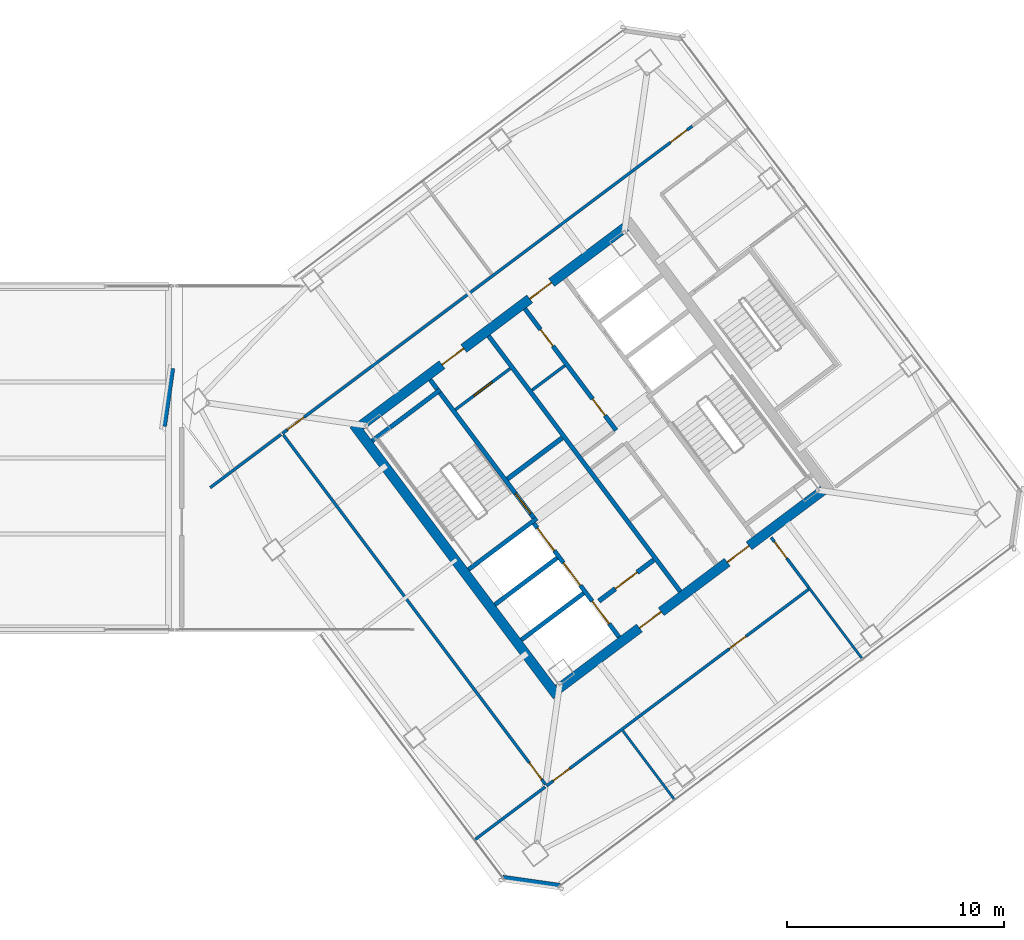
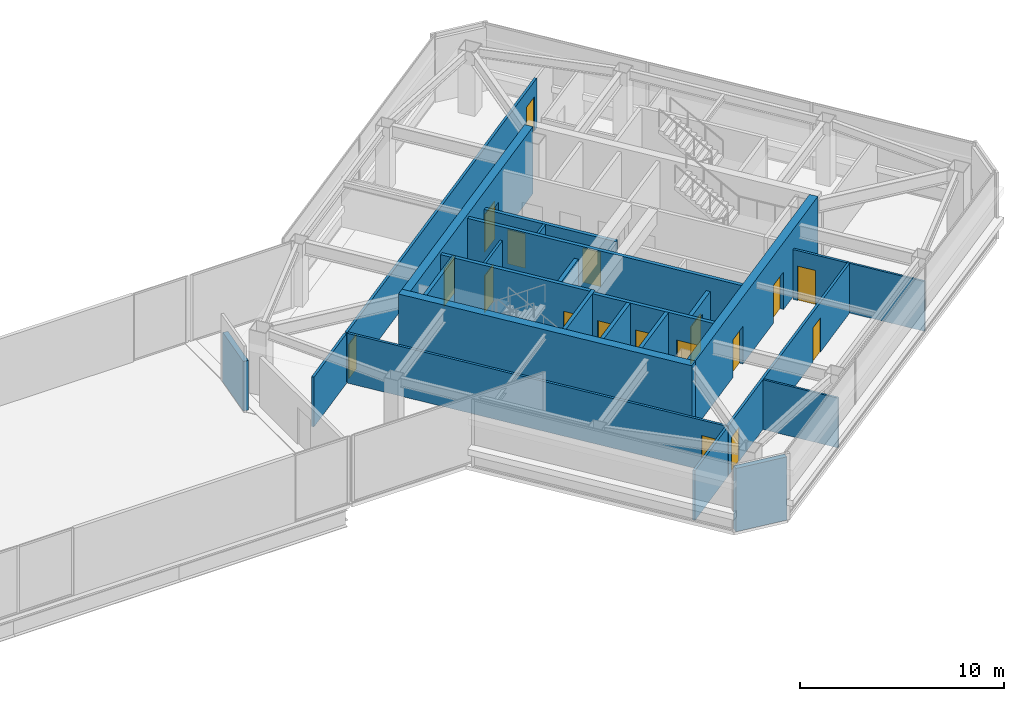
# One storey, part 41 of 51: 25 walls, 18 doors, 18 openings.
"""IFC4 building model written with IfcOpenShell, lengths in metres."""

from ifc_helpers import new_model, si_unit, direction, frame, frame_2d, origin, place, context, subcontext, project, spatial, rectangle, extrude, material, layer, layer_set, type_object, element, fill, save


model = new_model("IFC4")

# Units and contexts
model_context = context("Model", 3, precision=1e-05, world=origin(), true_north=direction((0.0, 1.0)))
body_context = subcontext(model_context, "Body", "Model", "MODEL_VIEW")
ifc_project = project(units=[si_unit("LENGTHUNIT", "METRE"), si_unit("AREAUNIT", "SQUARE_METRE"), si_unit("VOLUMEUNIT", "CUBIC_METRE"), si_unit("PLANEANGLEUNIT", "RADIAN"), si_unit("MASSUNIT", "GRAM", prefix="KILO")], contexts=[model_context])

# Site, building, storey
site_placement = place(None, origin())
site = spatial("IfcSite", under=ifc_project, at=site_placement, CompositionType="ELEMENT")
building_placement = place(site_placement, origin())
building = spatial("IfcBuilding", under=site, at=building_placement, Name="Tashvorn Skyway Center", CompositionType="ELEMENT")
storey_placement = place(building_placement, frame((0.0, 0.0, 251.39990234375)))
storey = spatial("IfcBuildingStorey", under=building, at=storey_placement, Name="L68", CompositionType="ELEMENT", Elevation=251.39990234375)

# Wall
ifc_material_1 = material(Name="Concrete C50/60", Category="concrete")
ifc_layer_1 = layer(ifc_material_1, 0.449951171875)
ifc_layer_set_1 = layer_set([ifc_layer_1], Name="Concrete C50/60")
wall_type_1 = type_object("IfcWallType", Name="WALL-CORE-450", PredefinedType="SHEAR", material=ifc_layer_set_1)
wall_1_placement = place(storey_placement, frame((112.39599609375, 21.047119140625, 0.0), z_axis=(0.0, 0.0, 1.0), x_axis=(-0.600005007985, 0.799996243986, 0.0)))
element("IfcWall", 1, at=wall_1_placement, inside=storey, type_object=wall_type_1, Name="Tower 2 L68 West Core Shear Wall", PredefinedType="SHEAR", context=body_context, shape_type="SweptSolid", body=[
    extrude(rectangle(XDim=15.60009765625, YDim=0.449951171875, at=frame_2d((7.800048828125, 0.0))), origin(), (0.0, 0.0, 1.0), 4.0),
])

# Wall, openings, doors
wall_2_placement = place(storey_placement, frame((124.64892578125, 30.51806640625, 0.0), z_axis=(0.0, 0.0, 1.0), x_axis=(-0.8, -0.6, 0.0)))
wall_2 = element("IfcWall", 2, at=wall_2_placement, inside=storey, type_object=wall_type_1, Name="Tower 2 L68 South Core Shear Wall", PredefinedType="SHEAR", context=body_context, shape_type="SweptSolid", body=[
    extrude(rectangle(XDim=15.260009765625, YDim=0.449951171875, at=frame_2d((7.6298828125, 0.0))), origin(), (0.0, 0.0, 1.0), 4.0),
])
opening_1_placement = place(wall_2_placement, frame((9.330078125, 0.0, 0.0)))
opening_1 = element("IfcOpeningElement", 3, at=opening_1_placement, cuts=wall_2, Name="Opening D-FFL-1250", PredefinedType="OPENING", context=body_context, shape_type="SweptSolid", body=[
    extrude(rectangle(XDim=1.25, YDim=2.25, at=frame_2d((0.625, 1.125))), frame((0.0, 0.23486328125, 0.0), z_axis=(0.0, -1.0, 0.0), x_axis=(1.0, 0.0, 0.0)), (0.0, 0.0, 1.0), 0.469970703125),
])
opening_2_placement = place(wall_2_placement, frame((4.280029296875, 0.0, 0.0)))
opening_2 = element("IfcOpeningElement", 4, at=opening_2_placement, cuts=wall_2, Name="Opening D-FFL-1250", PredefinedType="OPENING", context=body_context, shape_type="SweptSolid", body=[
    extrude(rectangle(XDim=1.25, YDim=2.25, at=frame_2d((0.625, 1.125))), frame((0.0, 0.23486328125, 0.0), z_axis=(0.0, -1.0, 0.0), x_axis=(1.0, 0.0, 0.0)), (0.0, 0.0, 1.0), 0.469970703125),
])
ifc_material_2 = material(Name="Hollow galvanized steel fire door assembly", Category="steel")
door_type_1 = type_object("IfcDoorType", Name="DOOR-FFL-1250", OperationType="NOTDEFINED", PredefinedType="DOOR", material=ifc_material_2)
door_1_placement = place(opening_1_placement, origin())
door_1 = element("IfcDoor", 5, at=door_1_placement, inside=storey, type_object=door_type_1, Name="Tower 2 L68 Core South Firefighting Exit Door", OperationType="SINGLE_SWING_LEFT", OverallHeight=2.25, OverallWidth=1.25, PredefinedType="DOOR", context=body_context, shape_type="SweptSolid", body=[
    extrude(rectangle(XDim=1.25, YDim=2.25, at=frame_2d((0.625, 1.125))), frame((0.0, 0.02490234375, 0.0), z_axis=(0.0, -1.0, 0.0), x_axis=(1.0, 0.0, 0.0)), (0.0, 0.0, 1.0), 0.050048828125),
])
fill(opening_1, door_1)
door_2_placement = place(opening_2_placement, origin())
door_2 = element("IfcDoor", 6, at=door_2_placement, inside=storey, type_object=door_type_1, Name="Tower 2 L68 Core South Lift Lobby Door", OperationType="SINGLE_SWING_RIGHT", OverallHeight=2.25, OverallWidth=1.25, PredefinedType="DOOR", context=body_context, shape_type="SweptSolid", body=[
    extrude(rectangle(XDim=1.25, YDim=2.25, at=frame_2d((0.625, 1.125))), frame((0.0, 0.02490234375, 0.0), z_axis=(0.0, -1.0, 0.0), x_axis=(1.0, 0.0, 0.0)), (0.0, 0.0, 1.0), 0.050048828125),
])
fill(opening_2, door_2)

wall_3_placement = place(storey_placement, frame((103.35107421875, 33.48193359375, 0.0), z_axis=(0.0, 0.0, 1.0), x_axis=(0.8, 0.6, 0.0)))
wall_3 = element("IfcWall", 7, at=wall_3_placement, inside=storey, type_object=wall_type_1, Name="Tower 2 L68 North Core Shear Wall", PredefinedType="SHEAR", context=body_context, shape_type="SweptSolid", body=[
    extrude(rectangle(XDim=15.260009765625, YDim=0.449951171875, at=frame_2d((7.6298828125, 0.0))), origin(), (0.0, 0.0, 1.0), 4.0),
])
opening_3_placement = place(wall_3_placement, frame((4.679931640625, 0.0, 0.0)))
opening_3 = element("IfcOpeningElement", 8, at=opening_3_placement, cuts=wall_3, Name="Opening D-FFL-1250", PredefinedType="OPENING", context=body_context, shape_type="SweptSolid", body=[
    extrude(rectangle(XDim=1.25, YDim=2.25, at=frame_2d((0.625, 1.125))), frame((0.0, 0.23486328125, 0.0), z_axis=(0.0, -1.0, 0.0), x_axis=(1.0, 0.0, 0.0)), (0.0, 0.0, 1.0), 0.469970703125),
])
opening_4_placement = place(wall_3_placement, frame((9.72998046875, 0.0, 0.0)))
opening_4 = element("IfcOpeningElement", 9, at=opening_4_placement, cuts=wall_3, Name="Opening D-FFL-1250", PredefinedType="OPENING", context=body_context, shape_type="SweptSolid", body=[
    extrude(rectangle(XDim=1.25, YDim=2.25, at=frame_2d((0.625, 1.125))), frame((0.0, 0.23486328125, 0.0), z_axis=(0.0, -1.0, 0.0), x_axis=(1.0, 0.0, 0.0)), (0.0, 0.0, 1.0), 0.469970703125),
])
door_3_placement = place(opening_3_placement, origin())
door_3 = element("IfcDoor", 10, at=door_3_placement, inside=storey, type_object=door_type_1, Name="Tower 2 L68 Core North Service Lobby Door", OperationType="SINGLE_SWING_LEFT", OverallHeight=2.25, OverallWidth=1.25, PredefinedType="DOOR", context=body_context, shape_type="SweptSolid", body=[
    extrude(rectangle(XDim=1.25, YDim=2.25, at=frame_2d((0.625, 1.125))), frame((0.0, 0.02490234375, 0.0), z_axis=(0.0, -1.0, 0.0), x_axis=(1.0, 0.0, 0.0)), (0.0, 0.0, 1.0), 0.050048828125),
])
fill(opening_3, door_3)
door_4_placement = place(opening_4_placement, origin())
door_4 = element("IfcDoor", 11, at=door_4_placement, inside=storey, type_object=door_type_1, Name="Tower 2 L68 Core North Lift Lobby Door", OperationType="SINGLE_SWING_RIGHT", OverallHeight=2.25, OverallWidth=1.25, PredefinedType="DOOR", context=body_context, shape_type="SweptSolid", body=[
    extrude(rectangle(XDim=1.25, YDim=2.25, at=frame_2d((0.625, 1.125))), frame((0.0, 0.02490234375, 0.0), z_axis=(0.0, -1.0, 0.0), x_axis=(1.0, 0.0, 0.0)), (0.0, 0.0, 1.0), 0.050048828125),
])
fill(opening_4, door_4)

# Walls
ifc_material_3 = material(Name="Precast concrete C40/50", Category="concrete")
ifc_layer_2 = layer(ifc_material_3, 0.280029296875)
ifc_layer_set_2 = layer_set([ifc_layer_2], Name="Precast concrete C40/50")
wall_type_2 = type_object("IfcWallType", Name="WALL-EXT-280", PredefinedType="SOLIDWALL", material=ifc_layer_set_2)
wall_4_placement = place(storey_placement, frame((112.5400390625, 12.280029296875, 0.0), z_axis=(0.0, 0.0, 1.0), x_axis=(-0.989956760759, 0.141370477216, 0.0)))
element("IfcWall", 12, at=wall_4_placement, inside=storey, type_object=wall_type_2, Name="Tower 2 L68 SW Precast Chamfer Wall", PredefinedType="SOLIDWALL", context=body_context, shape_type="SweptSolid", body=[
    extrude(rectangle(XDim=2.687255859375, YDim=0.280029296875, at=frame_2d((1.34375, 0.0))), origin(), (0.0, 0.0, 1.0), 3.780029296875),
])
wall_5_placement = place(storey_placement, frame((94.280029296875, 33.4599609375, 0.0), z_axis=(0.0, 0.0, 1.0), x_axis=(0.141370477216, 0.989956760759, 0.0)))
element("IfcWall", 13, at=wall_5_placement, inside=storey, type_object=wall_type_2, Name="Tower 2 L68 NW Precast Chamfer Wall", PredefinedType="SOLIDWALL", context=body_context, shape_type="SweptSolid", body=[
    extrude(rectangle(XDim=2.687255859375, YDim=0.280029296875, at=frame_2d((1.34375, 0.0))), origin(), (0.0, 0.0, 1.0), 2.960205078125),
])
ifc_material_4 = material(Name="Concrete C40/50", Category="concrete")
ifc_layer_3 = layer(ifc_material_4, 0.219970703125)
ifc_layer_set_3 = layer_set([ifc_layer_3], Name="Concrete C40/50")
wall_type_3 = type_object("IfcWallType", Name="WALL-FFL-220", PredefinedType="SOLIDWALL", material=ifc_layer_set_3)
wall_6_placement = place(storey_placement, frame((110.10400390625, 31.028076171875, 0.0), z_axis=(0.0, 0.0, 1.0), x_axis=(0.800018601094, 0.59997519774, 0.0)))
element("IfcWall", 14, at=wall_6_placement, inside=storey, type_object=wall_type_3, Name="Tower 2 L68 Firefighting Lobby North Wall", PredefinedType="SOLIDWALL", context=body_context, shape_type="SweptSolid", body=[
    extrude(rectangle(XDim=3.14990234375, YDim=0.219970703125, at=frame_2d((1.574951171875, 0.0))), origin(), (0.0, 0.0, 1.0), 2.97119140625),
])

# Wall, opening, door
wall_7_placement = place(storey_placement, frame((114.31591796875, 25.412109375, 0.0), z_axis=(0.0, 0.0, 1.0), x_axis=(0.800018601094, 0.59997519774, 0.0)))
wall_7 = element("IfcWall", 15, at=wall_7_placement, inside=storey, type_object=wall_type_3, Name="Tower 2 L68 Firefighting Lobby South Wall", PredefinedType="SOLIDWALL", context=body_context, shape_type="SweptSolid", body=[
    extrude(rectangle(XDim=3.14990234375, YDim=0.219970703125, at=frame_2d((1.574951171875, 0.0))), origin(), (0.0, 0.0, 1.0), 2.97119140625),
])
opening_5_placement = place(wall_7_placement, frame((0.949951171875, 0.0, 0.0)))
opening_5 = element("IfcOpeningElement", 16, at=opening_5_placement, cuts=wall_7, Name="Opening D-FFL-1250", PredefinedType="OPENING", context=body_context, shape_type="SweptSolid", body=[
    extrude(rectangle(XDim=1.25, YDim=2.25, at=frame_2d((0.625, 1.125))), frame((0.0, 0.119873046875, 0.0), z_axis=(0.0, -1.0, 0.0), x_axis=(1.0, 0.0, 0.0)), (0.0, 0.0, 1.0), 0.239990234375),
])
door_5_placement = place(opening_5_placement, origin())
door_5 = element("IfcDoor", 17, at=door_5_placement, inside=storey, type_object=door_type_1, Name="Tower 2 L68 Firefighting Lobby Egress Door", OperationType="SINGLE_SWING_LEFT", OverallHeight=2.25, OverallWidth=1.25, PredefinedType="DOOR", context=body_context, shape_type="SweptSolid", body=[
    extrude(rectangle(XDim=1.25, YDim=2.25, at=frame_2d((0.625, 1.125))), frame((0.0, 0.02490234375, 0.0), z_axis=(0.0, -1.0, 0.0), x_axis=(1.0, 0.0, 0.0)), (0.0, 0.0, 1.0), 0.050048828125),
])
fill(opening_5, door_5)

# Walls
ifc_material_5 = material(Name="Gypsum board on cold-formed steel stud framing", Category="steel")
ifc_layer_4 = layer(ifc_material_5, 0.110107421875)
ifc_layer_set_4 = layer_set([ifc_layer_4], Name="Gypsum board on cold-formed steel stud framing")
wall_type_4 = type_object("IfcWallType", Name="WALL-PART-110", PredefinedType="PARTITIONING", material=ifc_layer_set_4)
wall_8_placement = place(storey_placement, frame((117.80810546875, 16.256103515625, 0.0), z_axis=(0.0, 0.0, 1.0), x_axis=(-0.600049072604, 0.799963193195, 0.0)))
element("IfcWall", 18, at=wall_8_placement, inside=storey, type_object=wall_type_4, Name="Tower 2 L68 South Suite Partition 1", PredefinedType="PARTITIONING", context=body_context, shape_type="SweptSolid", body=[
    extrude(rectangle(XDim=3.97998046875, YDim=0.110107421875, at=frame_2d((1.989990234375, 0.0))), origin(), (0.0, 0.0, 1.0), 2.97119140625),
])
wall_9_placement = place(storey_placement, frame((126.447998046875, 22.736083984375, 0.0), z_axis=(0.0, 0.0, 1.0), x_axis=(-0.599981128793, 0.800014153057, 0.0)))
element("IfcWall", 19, at=wall_9_placement, inside=storey, type_object=wall_type_4, Name="Tower 2 L68 South-East Suite Wall", PredefinedType="PARTITIONING", context=body_context, shape_type="SweptSolid", body=[
    extrude(rectangle(XDim=4.139892578125, YDim=0.110107421875, at=frame_2d((2.06982421875, 0.0))), origin(), (0.0, 0.0, 1.0), 2.97119140625),
])

# Wall, openings, doors
ifc_layer_5 = layer(ifc_material_5, 0.135009765625)
ifc_layer_set_5 = layer_set([ifc_layer_5], Name="Gypsum board on cold-formed steel stud framing")
wall_type_5 = type_object("IfcWallType", Name="WALL-PART-135", PredefinedType="PARTITIONING", material=ifc_layer_set_5)
wall_10_placement = place(storey_placement, frame((99.74609375, 33.1220703125, 0.0), z_axis=(0.0, 0.0, 1.0), x_axis=(0.800001242445, 0.599998343403, 0.0)))
wall_10 = element("IfcWall", 20, at=wall_10_placement, inside=storey, type_object=wall_type_5, Name="Tower 2 L68 North Suite Wall", PredefinedType="PARTITIONING", context=body_context, shape_type="SweptSolid", body=[
    extrude(rectangle(XDim=23.580078125, YDim=0.135009765625, at=frame_2d((11.7900390625, 0.0))), origin(), (0.0, 0.0, 1.0), 2.97119140625),
])
opening_6_placement = place(wall_10_placement, frame((0.300048828125, 0.0, 0.0)))
opening_6 = element("IfcOpeningElement", 21, at=opening_6_placement, cuts=wall_10, Name="Opening D-INT-950", PredefinedType="OPENING", context=body_context, shape_type="SweptSolid", body=[
    extrude(rectangle(XDim=0.949951171875, YDim=2.050048828125, at=frame_2d((0.47509765625, 1.02490234375))), frame((0.0, 0.077392578125, 0.0), z_axis=(0.0, -1.0, 0.0), x_axis=(1.0, 0.0, 0.0)), (0.0, 0.0, 1.0), 0.155029296875),
])
opening_7_placement = place(wall_10_placement, frame((22.330078125, 0.0, 0.0)))
opening_7 = element("IfcOpeningElement", 22, at=opening_7_placement, cuts=wall_10, Name="Opening D-INT-950", PredefinedType="OPENING", context=body_context, shape_type="SweptSolid", body=[
    extrude(rectangle(XDim=0.949951171875, YDim=2.050048828125, at=frame_2d((0.47509765625, 1.02490234375))), frame((0.0, 0.077392578125, 0.0), z_axis=(0.0, -1.0, 0.0), x_axis=(1.0, 0.0, 0.0)), (0.0, 0.0, 1.0), 0.155029296875),
])
ifc_material_6 = material(Name="Solid-core architectural oak veneer door")
door_type_2 = type_object("IfcDoorType", Name="DOOR-INT-950", OperationType="NOTDEFINED", PredefinedType="DOOR", material=ifc_material_6)
door_6_placement = place(opening_6_placement, origin())
door_6 = element("IfcDoor", 23, at=door_6_placement, inside=storey, type_object=door_type_2, Name="Tower 2 L68 Executive Suite Door", OperationType="SINGLE_SWING_RIGHT", OverallHeight=2.050048828125, OverallWidth=0.949951171875, PredefinedType="DOOR", context=body_context, shape_type="SweptSolid", body=[
    extrude(rectangle(XDim=0.949951171875, YDim=2.050048828125, at=frame_2d((0.47509765625, 1.02490234375))), frame((0.0, 0.02490234375, 0.0), z_axis=(0.0, -1.0, 0.0), x_axis=(1.0, 0.0, 0.0)), (0.0, 0.0, 1.0), 0.050048828125),
])
fill(opening_6, door_6)
door_7_placement = place(opening_7_placement, origin())
door_7 = element("IfcDoor", 24, at=door_7_placement, inside=storey, type_object=door_type_2, Name="Tower 2 L68 Executive Suite Door", OperationType="SINGLE_SWING_LEFT", OverallHeight=2.050048828125, OverallWidth=0.949951171875, PredefinedType="DOOR", context=body_context, shape_type="SweptSolid", body=[
    extrude(rectangle(XDim=0.949951171875, YDim=2.050048828125, at=frame_2d((0.47509765625, 1.02490234375))), frame((0.0, 0.02490234375, 0.0), z_axis=(0.0, -1.0, 0.0), x_axis=(1.0, 0.0, 0.0)), (0.0, 0.0, 1.0), 0.050048828125),
])
fill(opening_7, door_7)

wall_11_placement = place(storey_placement, frame((124.011962890625, 25.98388671875, 0.0), z_axis=(0.0, 0.0, 1.0), x_axis=(-0.800003872688, -0.599994836382, 0.0)))
wall_11 = element("IfcWall", 25, at=wall_11_placement, inside=storey, type_object=wall_type_5, Name="Tower 2 L68 South Suite Wall", PredefinedType="PARTITIONING", context=body_context, shape_type="SweptSolid", body=[
    extrude(rectangle(XDim=15.1298828125, YDim=0.135009765625, at=frame_2d((7.56494140625, 0.0))), origin(), (0.0, 0.0, 1.0), 2.97119140625),
])
opening_8_placement = place(wall_11_placement, frame((13.800048828125, 0.0, 0.0)))
opening_8 = element("IfcOpeningElement", 26, at=opening_8_placement, cuts=wall_11, Name="Opening D-INT-950", PredefinedType="OPENING", context=body_context, shape_type="SweptSolid", body=[
    extrude(rectangle(XDim=0.949951171875, YDim=2.050048828125, at=frame_2d((0.47509765625, 1.02490234375))), frame((0.0, 0.077392578125, 0.0), z_axis=(0.0, -1.0, 0.0), x_axis=(1.0, 0.0, 0.0)), (0.0, 0.0, 1.0), 0.155029296875),
])
opening_9_placement = place(wall_11_placement, frame((3.66259765625, 0.0, 0.0)))
opening_9 = element("IfcOpeningElement", 27, at=opening_9_placement, cuts=wall_11, Name="Opening D-INT-950", PredefinedType="OPENING", context=body_context, shape_type="SweptSolid", body=[
    extrude(rectangle(XDim=0.949951171875, YDim=2.050048828125, at=frame_2d((0.47509765625, 1.02490234375))), frame((0.0, 0.077392578125, 0.0), z_axis=(0.0, -1.0, 0.0), x_axis=(1.0, 0.0, 0.0)), (0.0, 0.0, 1.0), 0.155029296875),
])
door_8_placement = place(opening_8_placement, origin())
door_8 = element("IfcDoor", 28, at=door_8_placement, inside=storey, type_object=door_type_2, Name="Tower 2 L68 Executive Suite Door", OperationType="SINGLE_SWING_RIGHT", OverallHeight=2.050048828125, OverallWidth=0.949951171875, PredefinedType="DOOR", context=body_context, shape_type="SweptSolid", body=[
    extrude(rectangle(XDim=0.949951171875, YDim=2.050048828125, at=frame_2d((0.47509765625, 1.02490234375))), frame((0.0, 0.02490234375, 0.0), z_axis=(0.0, -1.0, 0.0), x_axis=(1.0, 0.0, 0.0)), (0.0, 0.0, 1.0), 0.050048828125),
])
fill(opening_8, door_8)
door_9_placement = place(opening_9_placement, origin())
door_9 = element("IfcDoor", 29, at=door_9_placement, inside=storey, type_object=door_type_2, Name="Tower 2 L68 Corporate Office Door", OperationType="SINGLE_SWING_LEFT", OverallHeight=2.050048828125, OverallWidth=0.949951171875, PredefinedType="DOOR", context=body_context, shape_type="SweptSolid", body=[
    extrude(rectangle(XDim=0.949951171875, YDim=2.050048828125, at=frame_2d((0.47509765625, 1.02490234375))), frame((0.0, 0.02490234375, 0.0), z_axis=(0.0, -1.0, 0.0), x_axis=(1.0, 0.0, 0.0)), (0.0, 0.0, 1.0), 0.050048828125),
])
fill(opening_9, door_9)

# Wall, opening, door
wall_12_placement = place(storey_placement, frame((122.248046875, 28.3359375, 0.0), z_axis=(0.0, 0.0, 1.0), x_axis=(0.600040975122, -0.799969267018, 0.0)))
wall_12 = element("IfcWall", 30, at=wall_12_placement, inside=storey, type_object=wall_type_5, Name="Tower 2 L68 South Gallery End Wall", PredefinedType="PARTITIONING", context=body_context, shape_type="SweptSolid", body=[
    extrude(rectangle(XDim=2.85986328125, YDim=0.135009765625, at=frame_2d((1.429931640625, 0.0))), origin(), (0.0, 0.0, 1.0), 2.97119140625),
])
opening_10_placement = place(wall_12_placement, frame((0.25, 0.0, 0.0)))
opening_10 = element("IfcOpeningElement", 31, at=opening_10_placement, cuts=wall_12, Name="Opening D-INT-950", PredefinedType="OPENING", context=body_context, shape_type="SweptSolid", body=[
    extrude(rectangle(XDim=0.949951171875, YDim=2.050048828125, at=frame_2d((0.47509765625, 1.02490234375))), frame((0.0, 0.077392578125, 0.0), z_axis=(0.0, -1.0, 0.0), x_axis=(1.0, 0.0, 0.0)), (0.0, 0.0, 1.0), 0.155029296875),
])
door_10_placement = place(opening_10_placement, origin())
door_10 = element("IfcDoor", 32, at=door_10_placement, inside=storey, type_object=door_type_2, Name="Tower 2 L68 Executive Suite Door", OperationType="SINGLE_SWING_RIGHT", OverallHeight=2.050048828125, OverallWidth=0.949951171875, PredefinedType="DOOR", context=body_context, shape_type="SweptSolid", body=[
    extrude(rectangle(XDim=0.949951171875, YDim=2.050048828125, at=frame_2d((0.47509765625, 1.02490234375))), frame((0.0, 0.02490234375, 0.0), z_axis=(0.0, -1.0, 0.0), x_axis=(1.0, 0.0, 0.0)), (0.0, 0.0, 1.0), 0.050048828125),
])
fill(opening_10, door_10)

wall_13_placement = place(storey_placement, frame((111.860107421875, 16.969970703125, 0.0), z_axis=(0.0, 0.0, 1.0), x_axis=(-0.60000194242, 0.799998543181, 0.0)))
wall_13 = element("IfcWall", 33, at=wall_13_placement, inside=storey, type_object=wall_type_5, Name="Tower 2 L68 West Inner Suite Wall", PredefinedType="PARTITIONING", context=body_context, shape_type="SweptSolid", body=[
    extrude(rectangle(XDim=20.110107421875, YDim=0.135009765625, at=frame_2d((10.05517578125, 0.0))), origin(), (0.0, 0.0, 1.0), 2.97119140625),
])
opening_11_placement = place(wall_13_placement, frame((0.300048828125, 0.0, 0.0)))
opening_11 = element("IfcOpeningElement", 34, at=opening_11_placement, cuts=wall_13, Name="Opening D-INT-950", PredefinedType="OPENING", context=body_context, shape_type="SweptSolid", body=[
    extrude(rectangle(XDim=0.949951171875, YDim=2.050048828125, at=frame_2d((0.47509765625, 1.02490234375))), frame((0.0, 0.077392578125, 0.0), z_axis=(0.0, -1.0, 0.0), x_axis=(1.0, 0.0, 0.0)), (0.0, 0.0, 1.0), 0.155029296875),
])
door_11_placement = place(opening_11_placement, origin())
door_11 = element("IfcDoor", 35, at=door_11_placement, inside=storey, type_object=door_type_2, Name="Tower 2 L68 Breakout Lounge Door", OperationType="SINGLE_SWING_LEFT", OverallHeight=2.050048828125, OverallWidth=0.949951171875, PredefinedType="DOOR", context=body_context, shape_type="SweptSolid", body=[
    extrude(rectangle(XDim=0.949951171875, YDim=2.050048828125, at=frame_2d((0.47509765625, 1.02490234375))), frame((0.0, 0.02490234375, 0.0), z_axis=(0.0, -1.0, 0.0), x_axis=(1.0, 0.0, 0.0)), (0.0, 0.0, 1.0), 0.050048828125),
])
fill(opening_11, door_11)

# Walls
wall_14_placement = place(storey_placement, frame((99.681884765625, 33.073974609375, 0.0), z_axis=(0.0, 0.0, 1.0), x_axis=(-0.8, -0.6, 0.0)))
element("IfcWall", 36, at=wall_14_placement, inside=storey, type_object=wall_type_5, Name="Tower 2 L68 West Suite North Wall", PredefinedType="PARTITIONING", context=body_context, shape_type="SweptSolid", body=[
    extrude(rectangle(XDim=4.06982421875, YDim=0.135009765625, at=frame_2d((2.034912109375, 0.0))), origin(), (0.0, 0.0, 1.0), 2.97119140625),
])
wall_15_placement = place(storey_placement, frame((108.587890625, 14.416015625, 0.0), z_axis=(0.0, 0.0, 1.0), x_axis=(0.800021594126, 0.599971206752, 0.0)))
element("IfcWall", 37, at=wall_15_placement, inside=storey, type_object=wall_type_5, Name="Tower 2 L68 West Suite South Wall", PredefinedType="PARTITIONING", context=body_context, shape_type="SweptSolid", body=[
    extrude(rectangle(XDim=4.070068359375, YDim=0.135009765625, at=frame_2d((2.03515625, 0.0))), origin(), (0.0, 0.0, 1.0), 2.97119140625),
])

# Wall, opening, door
ifc_layer_6 = layer(ifc_material_5, 0.135009765625)
ifc_layer_set_6 = layer_set([ifc_layer_6], Name="Gypsum board on cold-formed steel stud framing")
wall_type_6 = type_object("IfcWallType", Name="WALL-RATED-135", PredefinedType="PARTITIONING", material=ifc_layer_set_6)
wall_16_placement = place(storey_placement, frame((107.7099609375, 34.219970703125, 0.0), z_axis=(0.0, 0.0, 1.0), x_axis=(0.799981399002, 0.60002480053, 0.0)))
wall_16 = element("IfcWall", 38, at=wall_16_placement, inside=storey, type_object=wall_type_6, Name="Tower 2 L68 Core Service Lobby Wall", PredefinedType="PARTITIONING", context=body_context, shape_type="SweptSolid", body=[
    extrude(rectangle(XDim=3.150146484375, YDim=0.135009765625, at=frame_2d((1.5751953125, 0.0))), origin(), (0.0, 0.0, 1.0), 2.97119140625),
])
opening_12_placement = place(wall_16_placement, frame((1.050048828125, 0.0, 0.0)))
opening_12 = element("IfcOpeningElement", 39, at=opening_12_placement, cuts=wall_16, Name="Opening D-RT-1050", PredefinedType="OPENING", context=body_context, shape_type="SweptSolid", body=[
    extrude(rectangle(XDim=1.050048828125, YDim=2.199951171875, at=frame_2d((0.52490234375, 1.10009765625))), frame((0.0, 0.077392578125, 0.0), z_axis=(0.0, -1.0, 0.0), x_axis=(1.0, 0.0, 0.0)), (0.0, 0.0, 1.0), 0.155029296875),
])
door_type_3 = type_object("IfcDoorType", Name="DOOR-RATED-1050", OperationType="NOTDEFINED", PredefinedType="DOOR", material=ifc_material_2)
door_12_placement = place(opening_12_placement, origin())
door_12 = element("IfcDoor", 40, at=door_12_placement, inside=storey, type_object=door_type_3, Name="Tower 2 L68 Core Accessible WC Door", OperationType="SINGLE_SWING_LEFT", OverallHeight=2.199951171875, OverallWidth=1.050048828125, PredefinedType="DOOR", context=body_context, shape_type="SweptSolid", body=[
    extrude(rectangle(XDim=1.050048828125, YDim=2.199951171875, at=frame_2d((0.52490234375, 1.10009765625))), frame((0.0, 0.02490234375, 0.0), z_axis=(0.0, -1.0, 0.0), x_axis=(1.0, 0.0, 0.0)), (0.0, 0.0, 1.0), 0.050048828125),
])
fill(opening_12, door_12)

# Walls
wall_17_placement = place(storey_placement, frame((111.24609375, 35.1220703125, 0.0), z_axis=(0.0, 0.0, 1.0), x_axis=(0.8, 0.6, 0.0)))
element("IfcWall", 41, at=wall_17_placement, inside=storey, type_object=wall_type_6, Name="Tower 2 L68 Freed Mid-Rise Partition", PredefinedType="PARTITIONING", context=body_context, shape_type="SweptSolid", body=[
    extrude(rectangle(XDim=1.8798828125, YDim=0.135009765625, at=frame_2d((0.93994140625, 0.0))), origin(), (0.0, 0.0, 1.0), 2.97119140625),
])
ifc_layer_7 = layer(ifc_material_4, 0.199951171875)
ifc_layer_set_7 = layer_set([ifc_layer_7], Name="Concrete C40/50")
wall_type_7 = type_object("IfcWallType", Name="WALL-SHAFT-200", PredefinedType="SOLIDWALL", material=ifc_layer_set_7)
for number, where, z_axis, x_axis, name in (
    (42, (110.74609375, 23.6220703125, 0.0), (0.0, 0.0, 1.0), (0.800008183455, 0.599989088572, 0.0), "Tower 2 L68 FSAE Shaft Divider"),
    (43, (109.528076171875, 25.24609375, 0.0), (0.0, 0.0, 1.0), (0.800008183455, 0.599989088572, 0.0), "Tower 2 L68 FSAE Shaft Divider"),
):
    element("IfcWall", number, at=place(storey_placement, frame(where, z_axis=z_axis, x_axis=x_axis)), inside=storey, type_object=wall_type_7, Name=name, PredefinedType="SOLIDWALL", context=body_context, shape_type="SweptSolid", body=[
        extrude(rectangle(XDim=3.580078125, YDim=0.199951171875, at=frame_2d((1.7900390625, 0.0))), origin(), (0.0, 0.0, 1.0), 3.780029296875),
    ])

# Wall, openings, doors
wall_18_placement = place(storey_placement, frame((115.110107421875, 33.27001953125, 0.0), z_axis=(0.0, 0.0, 1.0), x_axis=(-0.600011160345, 0.79999162962, 0.0)))
wall_18 = element("IfcWall", 44, at=wall_18_placement, inside=storey, type_object=wall_type_7, Name="Tower 2 L68 Mid-Rise Core Wall", PredefinedType="SOLIDWALL", context=body_context, shape_type="SweptSolid", body=[
    extrude(rectangle(XDim=7.000244140625, YDim=0.199951171875, at=frame_2d((3.5, 0.0))), origin(), (0.0, 0.0, 1.0), 2.97119140625),
])
opening_13_placement = place(wall_18_placement, frame((0.85009765625, 0.0, 0.0)))
opening_13 = element("IfcOpeningElement", 45, at=opening_13_placement, cuts=wall_18, Name="Opening D-RT-950", PredefinedType="OPENING", context=body_context, shape_type="SweptSolid", body=[
    extrude(rectangle(XDim=0.949951171875, YDim=2.050048828125, at=frame_2d((0.47509765625, 1.02490234375))), frame((0.0, 0.10986328125, 0.0), z_axis=(0.0, -1.0, 0.0), x_axis=(1.0, 0.0, 0.0)), (0.0, 0.0, 1.0), 0.219970703125),
])
opening_14_placement = place(wall_18_placement, frame((4.85009765625, 0.0, 0.0)))
opening_14 = element("IfcOpeningElement", 46, at=opening_14_placement, cuts=wall_18, Name="Opening D-RT-950", PredefinedType="OPENING", context=body_context, shape_type="SweptSolid", body=[
    extrude(rectangle(XDim=0.949951171875, YDim=2.050048828125, at=frame_2d((0.47509765625, 1.02490234375))), frame((0.0, 0.10986328125, 0.0), z_axis=(0.0, -1.0, 0.0), x_axis=(1.0, 0.0, 0.0)), (0.0, 0.0, 1.0), 0.219970703125),
])
door_type_4 = type_object("IfcDoorType", Name="DOOR-RATED-950", OperationType="NOTDEFINED", PredefinedType="DOOR", material=ifc_material_2)
door_13_placement = place(opening_13_placement, origin())
door_13 = element("IfcDoor", 47, at=door_13_placement, inside=storey, type_object=door_type_4, Name="Tower 2 L68 Core IT Room Door", OperationType="SINGLE_SWING_RIGHT", OverallHeight=2.050048828125, OverallWidth=0.949951171875, PredefinedType="DOOR", context=body_context, shape_type="SweptSolid", body=[
    extrude(rectangle(XDim=0.949951171875, YDim=2.050048828125, at=frame_2d((0.47509765625, 1.02490234375))), frame((0.0, 0.02490234375, 0.0), z_axis=(0.0, -1.0, 0.0), x_axis=(1.0, 0.0, 0.0)), (0.0, 0.0, 1.0), 0.050048828125),
])
fill(opening_13, door_13)
door_14_placement = place(opening_14_placement, origin())
door_14 = element("IfcDoor", 48, at=door_14_placement, inside=storey, type_object=door_type_4, Name="Tower 2 L68 Core Catering Pantry Door", OperationType="SINGLE_SWING_LEFT", OverallHeight=2.050048828125, OverallWidth=0.949951171875, PredefinedType="DOOR", context=body_context, shape_type="SweptSolid", body=[
    extrude(rectangle(XDim=0.949951171875, YDim=2.050048828125, at=frame_2d((0.47509765625, 1.02490234375))), frame((0.0, 0.02490234375, 0.0), z_axis=(0.0, -1.0, 0.0), x_axis=(1.0, 0.0, 0.0)), (0.0, 0.0, 1.0), 0.050048828125),
])
fill(opening_14, door_14)

# Wall, opening, door
ifc_layer_8 = layer(ifc_material_4, 0.199951171875)
ifc_layer_set_8 = layer_set([ifc_layer_8], Name="Concrete C40/50")
wall_type_8 = type_object("IfcWallType", Name="WALL-STSHF-200", PredefinedType="SHEAR", material=ifc_layer_set_8)
wall_19_placement = place(storey_placement, frame((111.43994140625, 29.080078125, 0.0), z_axis=(0.0, 0.0, 1.0), x_axis=(-0.59999041401, 0.800007189403, 0.0)))
wall_19 = element("IfcWall", 49, at=wall_19_placement, inside=storey, type_object=wall_type_8, Name="Tower 2 L68 Stair 1 Enclosure Wall", PredefinedType="SHEAR", context=body_context, shape_type="SweptSolid", body=[
    extrude(rectangle(XDim=8.14990234375, YDim=0.199951171875, at=frame_2d((4.074951171875, 0.0))), origin(), (0.0, 0.0, 1.0), 3.780029296875),
])
opening_15_placement = place(wall_19_placement, frame((0.449951171875, 0.0, 0.0)))
opening_15 = element("IfcOpeningElement", 50, at=opening_15_placement, cuts=wall_19, Name="Opening D-ST-1150", PredefinedType="OPENING", context=body_context, shape_type="SweptSolid", body=[
    extrude(rectangle(XDim=1.14990234375, YDim=2.199951171875, at=frame_2d((0.574951171875, 1.10009765625))), frame((0.0, 0.10986328125, 0.0), z_axis=(0.0, -1.0, 0.0), x_axis=(1.0, 0.0, 0.0)), (0.0, 0.0, 1.0), 0.219970703125),
])
door_type_5 = type_object("IfcDoorType", Name="DOOR-STAIR-1150", OperationType="NOTDEFINED", PredefinedType="DOOR", material=ifc_material_2)
door_15_placement = place(opening_15_placement, origin())
door_15 = element("IfcDoor", 51, at=door_15_placement, inside=storey, type_object=door_type_5, Name="Tower 2 L68 Exit Stair 1 Door", OperationType="SINGLE_SWING_RIGHT", OverallHeight=2.199951171875, OverallWidth=1.14990234375, PredefinedType="DOOR", context=body_context, shape_type="SweptSolid", body=[
    extrude(rectangle(XDim=1.14990234375, YDim=2.199951171875, at=frame_2d((0.574951171875, 1.10009765625))), frame((0.0, 0.02490234375, 0.0), z_axis=(0.0, -1.0, 0.0), x_axis=(1.0, 0.0, 0.0)), (0.0, 0.0, 1.0), 0.050048828125),
])
fill(opening_15, door_15)

# Walls
for number, where, z_axis, x_axis, name in (
    (52, (108.31591796875, 26.862060546875, 0.0), (0.0, 0.0, 1.0), (0.800014909178, 0.599980120581, 0.0), "Tower 2 L68 Stair 1 South Wall"),
    (53, (103.8759765625, 32.781982421875, 0.0), (0.0, 0.0, 1.0), (0.800014909178, 0.599980120581, 0.0), "Tower 2 L68 Stair 1 North Wall"),
):
    element("IfcWall", number, at=place(storey_placement, frame(where, z_axis=z_axis, x_axis=x_axis)), inside=storey, type_object=wall_type_8, Name=name, PredefinedType="SHEAR", context=body_context, shape_type="SweptSolid", body=[
        extrude(rectangle(XDim=3.929931640625, YDim=0.199951171875, at=frame_2d((1.96484375, 0.0))), origin(), (0.0, 0.0, 1.0), 3.780029296875),
    ])
wall_20_placement = place(storey_placement, frame((118.05810546875, 25.85595703125, 0.0), z_axis=(0.0, 0.0, 1.0), x_axis=(-0.600002657301, 0.799998007018, 0.0)))
element("IfcWall", 54, at=wall_20_placement, inside=storey, type_object=wall_type_8, Name="Tower 2 L68 Firefighting Lobby East Smoke Barrier", PredefinedType="SHEAR", context=body_context, shape_type="SweptSolid", body=[
    extrude(rectangle(XDim=14.699951171875, YDim=0.199951171875, at=frame_2d((7.35009765625, 0.0))), origin(), (0.0, 0.0, 1.0), 3.780029296875),
])

# Wall, openings, doors
wall_21_placement = place(storey_placement, frame((115.25, 23.75, 0.0), z_axis=(0.0, 0.0, 1.0), x_axis=(-0.599994036198, 0.800004472816, 0.0)))
wall_21 = element("IfcWall", 55, at=wall_21_placement, inside=storey, type_object=wall_type_8, Name="Tower 2 L68 FSAE and Goods Shaft Front Wall", PredefinedType="SHEAR", context=body_context, shape_type="SweptSolid", body=[
    extrude(rectangle(XDim=6.550048828125, YDim=0.199951171875, at=frame_2d((3.27490234375, 0.0))), origin(), (0.0, 0.0, 1.0), 3.780029296875),
])
opening_16_placement = place(wall_21_placement, frame((4.97509765625, 0.0, 0.0)))
opening_16 = element("IfcOpeningElement", 56, at=opening_16_placement, cuts=wall_21, Name="Opening LD-FF-T2-1-L68", PredefinedType="OPENING", context=body_context, shape_type="SweptSolid", body=[
    extrude(rectangle(XDim=1.300048828125, YDim=2.25, at=frame_2d((0.64990234375, 1.125))), frame((0.0, 0.10986328125, 0.0), z_axis=(0.0, -1.0, 0.0), x_axis=(1.0, 0.0, 0.0)), (0.0, 0.0, 1.0), 0.219970703125),
])
opening_17_placement = place(wall_21_placement, frame((2.97509765625, 0.0, 0.0)))
opening_17 = element("IfcOpeningElement", 57, at=opening_17_placement, cuts=wall_21, Name="Opening LD-FF-T2-2-L68", PredefinedType="OPENING", context=body_context, shape_type="SweptSolid", body=[
    extrude(rectangle(XDim=1.300048828125, YDim=2.25, at=frame_2d((0.64990234375, 1.125))), frame((0.0, 0.10986328125, 0.0), z_axis=(0.0, -1.0, 0.0), x_axis=(1.0, 0.0, 0.0)), (0.0, 0.0, 1.0), 0.219970703125),
])
opening_18_placement = place(wall_21_placement, frame((0.77490234375, 0.0, 0.0)))
opening_18 = element("IfcOpeningElement", 58, at=opening_18_placement, cuts=wall_21, Name="Opening LD-GD-T2-1-L68", PredefinedType="OPENING", context=body_context, shape_type="SweptSolid", body=[
    extrude(rectangle(XDim=1.300048828125, YDim=2.25, at=frame_2d((0.64990234375, 1.125))), frame((0.0, 0.10986328125, 0.0), z_axis=(0.0, -1.0, 0.0), x_axis=(1.0, 0.0, 0.0)), (0.0, 0.0, 1.0), 0.219970703125),
])
ifc_material_7 = material(Name="Stainless steel heavy-duty landing door", Category="steel")
door_type_6 = type_object("IfcDoorType", Name="DOOR-LIFT-1300", OperationType="SLIDING_TO_LEFT", PredefinedType="DOOR", material=ifc_material_7)
door_16_placement = place(opening_16_placement, origin())
door_16 = element("IfcDoor", 59, at=door_16_placement, inside=storey, type_object=door_type_6, Name="Lift FF-T2-1 L68 Landing Door", OperationType="SLIDING_TO_LEFT", OverallHeight=2.25, OverallWidth=1.300048828125, PredefinedType="DOOR", context=body_context, shape_type="SweptSolid", body=[
    extrude(rectangle(XDim=1.300048828125, YDim=2.25, at=frame_2d((0.64990234375, 1.125))), frame((0.0, 0.02490234375, 0.0), z_axis=(0.0, -1.0, 0.0), x_axis=(1.0, 0.0, 0.0)), (0.0, 0.0, 1.0), 0.050048828125),
])
fill(opening_16, door_16)
door_17_placement = place(opening_17_placement, origin())
door_17 = element("IfcDoor", 60, at=door_17_placement, inside=storey, type_object=door_type_6, Name="Lift FF-T2-2 L68 Landing Door", OperationType="SLIDING_TO_LEFT", OverallHeight=2.25, OverallWidth=1.300048828125, PredefinedType="DOOR", context=body_context, shape_type="SweptSolid", body=[
    extrude(rectangle(XDim=1.300048828125, YDim=2.25, at=frame_2d((0.64990234375, 1.125))), frame((0.0, 0.02490234375, 0.0), z_axis=(0.0, -1.0, 0.0), x_axis=(1.0, 0.0, 0.0)), (0.0, 0.0, 1.0), 0.050048828125),
])
fill(opening_17, door_17)
door_18_placement = place(opening_18_placement, origin())
door_18 = element("IfcDoor", 61, at=door_18_placement, inside=storey, type_object=door_type_6, Name="Lift GD-T2-1 L68 Landing Door", OperationType="SLIDING_TO_LEFT", OverallHeight=2.25, OverallWidth=1.300048828125, PredefinedType="DOOR", context=body_context, shape_type="SweptSolid", body=[
    extrude(rectangle(XDim=1.300048828125, YDim=2.25, at=frame_2d((0.64990234375, 1.125))), frame((0.0, 0.02490234375, 0.0), z_axis=(0.0, -1.0, 0.0), x_axis=(1.0, 0.0, 0.0)), (0.0, 0.0, 1.0), 0.050048828125),
])
fill(opening_18, door_18)

save(model, "model.ifc")
